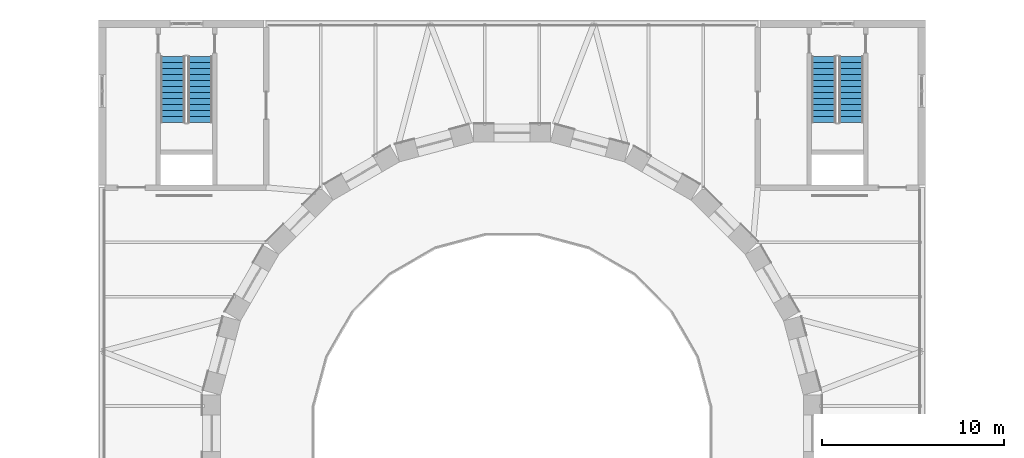
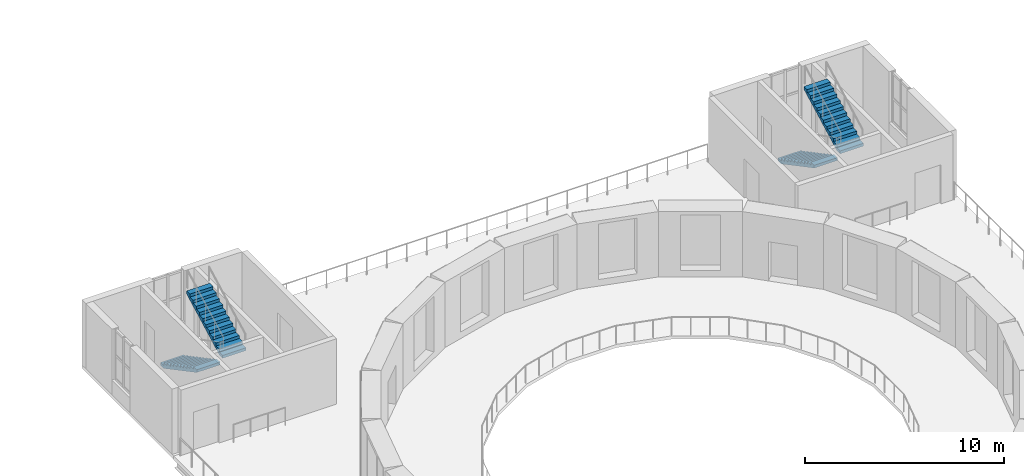
# One storey, part 118 of 154: 4 stair flights, 2 elements without a shape of their own.
"""IFC4 building model written with IfcOpenShell, lengths in metres."""

import ifcopenshell
import ifcopenshell.guid

model = None  # the IFC model being written
_history = None  # IfcOwnerHistory: only IFC2X3 demands one
_inside = {}  # id of a spatial element -> (the spatial element, [elements in it])
_under = {}  # id of a project, library or spatial element -> (it, [spatial elements below it])
_declared = {}  # id of a project -> (the project, [libraries it declares])
_typed = {}  # id of a type object -> (the type object, [elements of that type])
_made_of = {}  # id of a material, layer set ... -> (it, [elements and type objects made of it])


def new_model(schema):
    """Start an empty IFC model of exactly this schema.

    Asked for "IFC4X3", IfcOpenShell would pick the latest addendum, in which some entities
    have other attributes; the version numbers below select the first issue.
    IFC2X3 requires an IfcOwnerHistory on every rooted entity: one is made here for all.
    """
    global model, _history
    if schema == "IFC4X3":
        model = ifcopenshell.file(schema_version=(4, 3, 0, 0))
    else:
        model = ifcopenshell.file(schema=schema)
    _inside.clear()
    _under.clear()
    _declared.clear()
    _typed.clear()
    _made_of.clear()
    _history = None
    if model.schema == "IFC2X3":
        org = make("IfcOrganization", Name="unknown")
        user = make(
            "IfcPersonAndOrganization",
            ThePerson=make("IfcPerson", FamilyName="unknown"),
            TheOrganization=org,
        )
        app = make(
            "IfcApplication",
            ApplicationDeveloper=org,
            Version="unknown",
            ApplicationFullName="unknown",
            ApplicationIdentifier="unknown",
        )
        _history = make(
            "IfcOwnerHistory",
            OwningUser=user,
            OwningApplication=app,
            ChangeAction="ADDED",
            CreationDate=0,
        )
    return model


def make(cls, **values):
    """One entity of the class cls with the attributes given. An attribute that is None is left unset."""
    return model.create_entity(
        cls, **{name: value for name, value in values.items() if value is not None}
    )


def rooted(cls, **values):
    """An entity with a GlobalId (a new one), such as an element, a storey or a relation."""
    return make(cls, GlobalId=ifcopenshell.guid.new(), OwnerHistory=_history, **values)


def si_unit(unit_type, name, prefix=None):
    """IfcSIUnit, for example si_unit("LENGTHUNIT", "METRE", prefix="MILLI")."""
    return make("IfcSIUnit", UnitType=unit_type, Prefix=prefix, Name=name)


def assignment(units):
    """IfcUnitAssignment: the units of a project."""
    return None if units is None else make("IfcUnitAssignment", Units=units)


def point(xyz):
    """IfcCartesianPoint."""
    return None if xyz is None else make("IfcCartesianPoint", Coordinates=xyz)


def direction(xyz):
    """IfcDirection."""
    return None if xyz is None else make("IfcDirection", DirectionRatios=xyz)


def frame(location, z_axis=None, x_axis=None):
    """IfcAxis2Placement3D, a coordinate frame: its origin and axes. An axis left out is left unset."""
    return make(
        "IfcAxis2Placement3D",
        Location=point(location),
        Axis=direction(z_axis),
        RefDirection=direction(x_axis),
    )


def origin():
    """The frame at (0, 0, 0) with its axes left unset."""
    return frame((0.0, 0.0, 0.0))


def place(relative_to, where):
    """IfcLocalPlacement: puts the frame where relative to a parent placement (None: the world)."""
    return make(
        "IfcLocalPlacement", PlacementRelTo=relative_to, RelativePlacement=where
    )


def context(
    kind, dimensions, precision=None, world=None, true_north=None, identifier=None
):
    """IfcGeometricRepresentationContext, for example the 3D "Model" context."""
    return make(
        "IfcGeometricRepresentationContext",
        ContextIdentifier=identifier,
        ContextType=kind,
        CoordinateSpaceDimension=dimensions,
        Precision=precision,
        WorldCoordinateSystem=world,
        TrueNorth=true_north,
    )


def subcontext(parent, identifier, kind, view, scale=None):
    """IfcGeometricRepresentationSubContext, for example "Body" below "Model"."""
    return make(
        "IfcGeometricRepresentationSubContext",
        ContextIdentifier=identifier,
        ContextType=kind,
        ParentContext=parent,
        TargetScale=scale,
        TargetView=view,
    )


def project(units=None, contexts=None):
    """IfcProject with its units and contexts."""
    return rooted(
        "IfcProject",
        Name="project",
        RepresentationContexts=contexts,
        UnitsInContext=assignment(units),
    )


def spatial(cls, under=None, at=None, **own):
    """A site, building, storey or space (cls), placed at a placement, below another one or the project."""
    s = rooted(cls, ObjectPlacement=at, **own)
    if under is not None:
        _under.setdefault(under.id(), (under, []))[1].append(s)
    return s


def polyline(points):
    """IfcPolyline through the points."""
    return make("IfcPolyline", Points=[point(p) for p in points])


def outline(outer, holes=None, kind="AREA"):
    """IfcArbitraryClosedProfileDef: a profile drawn as a closed curve; with holes, ...WithVoids."""
    if holes is None:
        return make("IfcArbitraryClosedProfileDef", ProfileType=kind, OuterCurve=outer)
    return make(
        "IfcArbitraryProfileDefWithVoids",
        ProfileType=kind,
        OuterCurve=outer,
        InnerCurves=holes,
    )


def extrude(swept, where, along, depth):
    """IfcExtrudedAreaSolid: the profile swept, set in the frame where, extruded along a direction by depth."""
    return make(
        "IfcExtrudedAreaSolid",
        SweptArea=swept,
        Position=where,
        ExtrudedDirection=direction(along),
        Depth=depth,
    )


def shape(context_of_items, identifier, shape_type, items):
    """IfcShapeRepresentation: the items that make up one representation, for example the "Body"."""
    return make(
        "IfcShapeRepresentation",
        ContextOfItems=context_of_items,
        RepresentationIdentifier=identifier,
        RepresentationType=shape_type,
        Items=items,
    )


def material(Name=None, Category=None):
    """IfcMaterial."""
    return make("IfcMaterial", Name=Name, Category=Category)


def made_of(thing, what):
    """Note that an element or type object is made of a material, layer set ...; save() writes the relation."""
    if what is not None:
        _made_of.setdefault(what.id(), (what, []))[1].append(thing)
    return thing


def type_object(cls, material=None, **own):
    """A type object (cls), such as IfcWallType, which elements share."""
    return made_of(rooted(cls, **own), material)


def element(
    cls,
    number,
    at=None,
    inside=None,
    cuts=None,
    type_object=None,
    material=None,
    context=None,
    identifier="Body",
    shape_type=None,
    held_by="IfcProductDefinitionShape",
    body=None,
    shapes=None,
    **own,
):
    """One element of the class cls, such as IfcWall. Its Tag is "e" and its number.

    at: its placement. inside: the storey or other place that contains it. cuts: it is an
    opening in that element (IfcRelVoidsElement). A single representation is given by context,
    identifier, shape_type and body (its items); several are given by shapes. held_by: the class
    of the entity that holds the representations. save() writes the other relations.
    """
    e = rooted(cls, Tag="e%d" % number, ObjectPlacement=at, **own)
    if body is not None:
        shapes = [shape(context, identifier, shape_type, body)]
    if shapes is not None:
        e.Representation = make(held_by, Representations=shapes)
    if inside is not None:
        _inside.setdefault(inside.id(), (inside, []))[1].append(e)
    if cuts is not None:
        rooted(
            "IfcRelVoidsElement", RelatingBuildingElement=cuts, RelatedOpeningElement=e
        )
    if type_object is not None:
        _typed.setdefault(type_object.id(), (type_object, []))[1].append(e)
    return made_of(e, material)


def aggregate(whole, parts):
    """IfcRelAggregates: a whole, such as a stair, and the parts it consists of."""
    return rooted("IfcRelAggregates", RelatingObject=whole, RelatedObjects=parts)


def save(model, path):
    """Write the relations noted so far, then the file.

    IfcRelAggregates (storeys below a building ...), IfcRelContainedInSpatialStructure (elements
    in a storey), IfcRelDefinesByType, IfcRelAssociatesMaterial and IfcRelDeclares: one each for
    every whole, place, type object, material and project.
    """
    for whole, parts in _under.values():
        aggregate(whole, parts)
    for where, things in _inside.values():
        rooted(
            "IfcRelContainedInSpatialStructure",
            RelatedElements=things,
            RelatingStructure=where,
        )
    for kind, things in _typed.values():
        rooted("IfcRelDefinesByType", RelatedObjects=things, RelatingType=kind)
    for what, things in _made_of.values():
        rooted("IfcRelAssociatesMaterial", RelatedObjects=things, RelatingMaterial=what)
    for by, libraries in _declared.values():
        rooted("IfcRelDeclares", RelatingContext=by, RelatedDefinitions=libraries)
    model.write(path)


model = new_model("IFC4")

# Units and contexts
model_context = context("Model", 3, precision=1e-05, world=origin(), true_north=direction((0.0, 1.0)))
body_context = subcontext(model_context, "Body", "Model", "MODEL_VIEW")
ifc_project = project(units=[si_unit("LENGTHUNIT", "METRE"), si_unit("AREAUNIT", "SQUARE_METRE"), si_unit("VOLUMEUNIT", "CUBIC_METRE"), si_unit("PLANEANGLEUNIT", "RADIAN"), si_unit("MASSUNIT", "GRAM", prefix="KILO")], contexts=[model_context])

# Site, building, storey
site_placement = place(None, origin())
site = spatial("IfcSite", under=ifc_project, at=site_placement, CompositionType="ELEMENT")
building_placement = place(site_placement, origin())
building = spatial("IfcBuilding", under=site, at=building_placement, Name="Golden Quay Civic Hall", CompositionType="ELEMENT")
storey_placement = place(building_placement, frame((0.0, 0.0, 14.39990234375)))
storey = spatial("IfcBuildingStorey", under=building, at=storey_placement, Name="L03", CompositionType="ELEMENT", Elevation=14.39990234375)

# Stair, stair flights
ifc_material_1 = material(Name="Concrete C35/45", Category="concrete")
stair_type = type_object("IfcStairType", Name="Reinforced concrete stair 1350", PredefinedType="HALF_TURN_STAIR", material=ifc_material_1)
stair_1_placement = place(storey_placement, origin())
stair_1 = element("IfcStair", 1, at=stair_1_placement, inside=storey, type_object=stair_type, Name="L03 Core stair NW", PredefinedType="HALF_TURN_STAIR")
ifc_material_2 = material(Name="Concrete C35/45", Category="concrete")
stair_flight_type = type_object("IfcStairFlightType", Name="Reinforced concrete stair flight 1350", PredefinedType="STRAIGHT", material=ifc_material_2)
stair_flight_1_placement = place(storey_placement, frame((66.875, 106.199951171875, 0.0), z_axis=(0.0, 0.0, 1.0), x_axis=(0.0, -1.0, 0.0)))
stair_flight_1 = element("IfcStairFlight", 2, at=stair_flight_1_placement, type_object=stair_flight_type, Name="CB-NW flight 1", NumberOfRisers=12, NumberOfTreads=11, PredefinedType="STRAIGHT", RiserHeight=0.175, TreadLength=0.33, context=body_context, shape_type="SweptSolid", body=[
    extrude(outline(polyline([(0.0, 0.0), (0.0, 0.175048828125), (0.330078125, 0.175048828125), (0.330078125, 0.35009765625), (0.659912109375, 0.35009765625), (0.659912109375, 0.52490234375), (0.989990234375, 0.52490234375), (0.989990234375, 0.699951171875), (1.320068359375, 0.699951171875), (1.320068359375, 0.875), (1.64990234375, 0.875), (1.64990234375, 1.050048828125), (1.97998046875, 1.050048828125), (1.97998046875, 1.22509765625), (2.31005859375, 1.22509765625), (2.31005859375, 1.39990234375), (2.639892578125, 1.39990234375), (2.639892578125, 1.574951171875), (2.969970703125, 1.574951171875), (2.969970703125, 1.75), (3.300048828125, 1.75), (3.300048828125, 1.925048828125), (3.6298828125, 1.925048828125), (3.6298828125, 2.10009765625), (3.6298828125, 1.75537109375), (0.320068359375, 0.0), (0.0, 0.0)])), frame((0.0, 0.675048828125, 0.0), z_axis=(0.0, -1.0, 0.0), x_axis=(1.0, 0.0, 0.0)), (0.0, 0.0, 1.0), 1.35),
])
stair_flight_2_placement = place(storey_placement, frame((68.375, 102.570068359375, 2.10009765625), z_axis=(0.0, 0.0, 1.0), x_axis=(0.0, 1.0, 0.0)))
stair_flight_2 = element("IfcStairFlight", 3, at=stair_flight_2_placement, type_object=stair_flight_type, Name="CB-NW flight 2", NumberOfRisers=12, NumberOfTreads=11, PredefinedType="STRAIGHT", RiserHeight=0.175, TreadLength=0.33, context=body_context, shape_type="SweptSolid", body=[
    extrude(outline(polyline([(0.0, 0.0), (0.0, 0.175048828125), (0.330078125, 0.175048828125), (0.330078125, 0.35009765625), (0.659912109375, 0.35009765625), (0.659912109375, 0.52490234375), (0.989990234375, 0.52490234375), (0.989990234375, 0.699951171875), (1.320068359375, 0.699951171875), (1.320068359375, 0.875), (1.64990234375, 0.875), (1.64990234375, 1.050048828125), (1.97998046875, 1.050048828125), (1.97998046875, 1.22509765625), (2.31005859375, 1.22509765625), (2.31005859375, 1.39990234375), (2.639892578125, 1.39990234375), (2.639892578125, 1.574951171875), (2.969970703125, 1.574951171875), (2.969970703125, 1.75), (3.300048828125, 1.75), (3.300048828125, 1.925048828125), (3.6298828125, 1.925048828125), (3.6298828125, 2.10009765625), (3.6298828125, 1.75537109375), (0.320068359375, 0.0), (0.0, 0.0)])), frame((0.0, 0.675048828125, 0.0), z_axis=(0.0, -1.0, 0.0), x_axis=(1.0, 0.0, 0.0)), (0.0, 0.0, 1.0), 1.35),
])
aggregate(stair_1, [stair_flight_1, stair_flight_2])

stair_2_placement = place(storey_placement, origin())
stair_2 = element("IfcStair", 4, at=stair_2_placement, inside=storey, type_object=stair_type, Name="L03 Core stair NE", PredefinedType="HALF_TURN_STAIR")
stair_flight_3_placement = place(storey_placement, frame((102.625, 106.199951171875, 0.0), z_axis=(0.0, 0.0, 1.0), x_axis=(0.0, -1.0, 0.0)))
stair_flight_3 = element("IfcStairFlight", 5, at=stair_flight_3_placement, type_object=stair_flight_type, Name="CB-NE flight 1", NumberOfRisers=12, NumberOfTreads=11, PredefinedType="STRAIGHT", RiserHeight=0.175, TreadLength=0.33, context=body_context, shape_type="SweptSolid", body=[
    extrude(outline(polyline([(0.0, 0.0), (0.0, 0.175048828125), (0.330078125, 0.175048828125), (0.330078125, 0.35009765625), (0.659912109375, 0.35009765625), (0.659912109375, 0.52490234375), (0.989990234375, 0.52490234375), (0.989990234375, 0.699951171875), (1.320068359375, 0.699951171875), (1.320068359375, 0.875), (1.64990234375, 0.875), (1.64990234375, 1.050048828125), (1.97998046875, 1.050048828125), (1.97998046875, 1.22509765625), (2.31005859375, 1.22509765625), (2.31005859375, 1.39990234375), (2.639892578125, 1.39990234375), (2.639892578125, 1.574951171875), (2.969970703125, 1.574951171875), (2.969970703125, 1.75), (3.300048828125, 1.75), (3.300048828125, 1.925048828125), (3.6298828125, 1.925048828125), (3.6298828125, 2.10009765625), (3.6298828125, 1.75537109375), (0.320068359375, 0.0), (0.0, 0.0)])), frame((0.0, 0.675048828125, 0.0), z_axis=(0.0, -1.0, 0.0), x_axis=(1.0, 0.0, 0.0)), (0.0, 0.0, 1.0), 1.35),
])
stair_flight_4_placement = place(storey_placement, frame((104.125, 102.570068359375, 2.10009765625), z_axis=(0.0, 0.0, 1.0), x_axis=(0.0, 1.0, 0.0)))
stair_flight_4 = element("IfcStairFlight", 6, at=stair_flight_4_placement, type_object=stair_flight_type, Name="CB-NE flight 2", NumberOfRisers=12, NumberOfTreads=11, PredefinedType="STRAIGHT", RiserHeight=0.175, TreadLength=0.33, context=body_context, shape_type="SweptSolid", body=[
    extrude(outline(polyline([(0.0, 0.0), (0.0, 0.175048828125), (0.330078125, 0.175048828125), (0.330078125, 0.35009765625), (0.659912109375, 0.35009765625), (0.659912109375, 0.52490234375), (0.989990234375, 0.52490234375), (0.989990234375, 0.699951171875), (1.320068359375, 0.699951171875), (1.320068359375, 0.875), (1.64990234375, 0.875), (1.64990234375, 1.050048828125), (1.97998046875, 1.050048828125), (1.97998046875, 1.22509765625), (2.31005859375, 1.22509765625), (2.31005859375, 1.39990234375), (2.639892578125, 1.39990234375), (2.639892578125, 1.574951171875), (2.969970703125, 1.574951171875), (2.969970703125, 1.75), (3.300048828125, 1.75), (3.300048828125, 1.925048828125), (3.6298828125, 1.925048828125), (3.6298828125, 2.10009765625), (3.6298828125, 1.75537109375), (0.320068359375, 0.0), (0.0, 0.0)])), frame((0.0, 0.675048828125, 0.0), z_axis=(0.0, -1.0, 0.0), x_axis=(1.0, 0.0, 0.0)), (0.0, 0.0, 1.0), 1.35),
])
aggregate(stair_2, [stair_flight_3, stair_flight_4])

save(model, "model.ifc")
